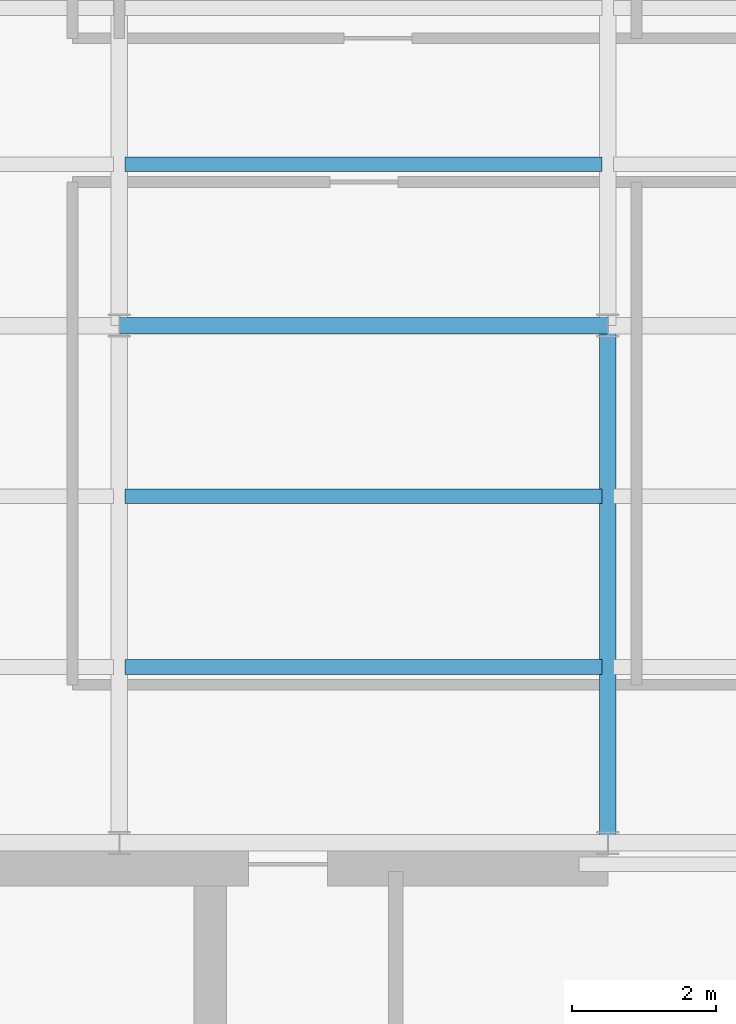
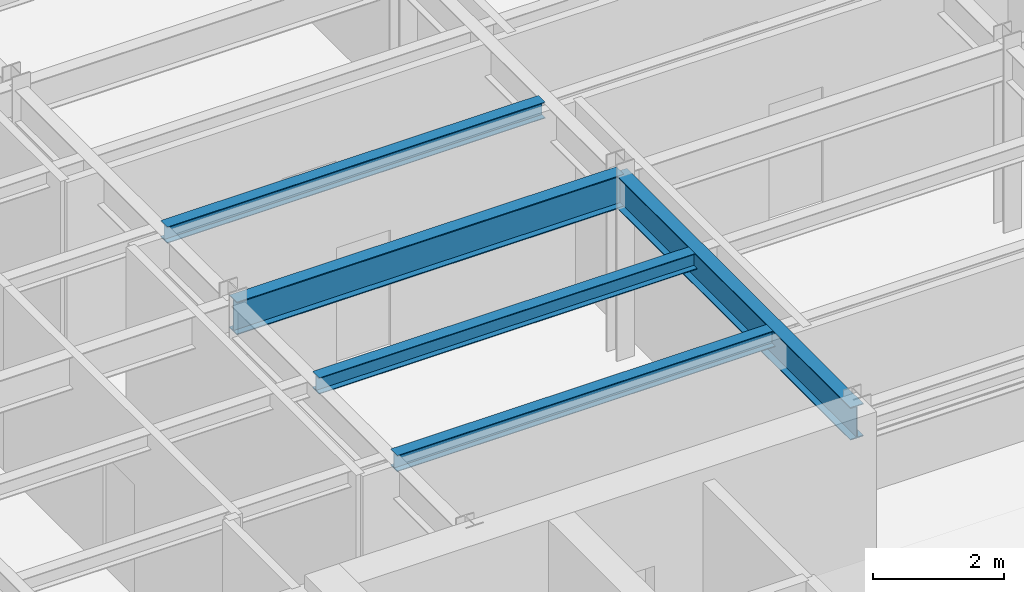
# One storey, part 6 of 22: 5 beams.
"""IFC4 building model written with IfcOpenShell, lengths in metres."""

from ifc_helpers import new_model, si_unit, derived_unit, direction, frame, origin, origin_2d, place, context, subcontext, project, spatial, i_section, extrude, source, transform, mapped, material, material_profile, profile_set, type_object, element, save


model = new_model("IFC4")

# Units and contexts
model_context = context("Model", 3, precision=1e-05, world=origin(), true_north=direction((0.0, 1.0)))
body_context = subcontext(model_context, "Body", "Model", "MODEL_VIEW")
ifc_project = project(units=[si_unit("LENGTHUNIT", "METRE"), si_unit("AREAUNIT", "SQUARE_METRE"), si_unit("VOLUMEUNIT", "CUBIC_METRE"), si_unit("PLANEANGLEUNIT", "RADIAN"), si_unit("MASSUNIT", "GRAM", prefix="KILO"), derived_unit("THERMALTRANSMITTANCEUNIT", [(si_unit("POWERUNIT", "WATT"), 1), (si_unit("LENGTHUNIT", "METRE"), -2), (si_unit("THERMODYNAMICTEMPERATUREUNIT", "KELVIN"), -1)])], contexts=[model_context])

# Site, building, storey
site_placement = place(None, origin())
site = spatial("IfcSite", under=ifc_project, at=site_placement, CompositionType="ELEMENT")
building_placement = place(site_placement, origin())
building = spatial("IfcBuilding", under=site, at=building_placement, Name="Skarnbrae Concourse Arena and Tower", CompositionType="ELEMENT")
storey_placement = place(building_placement, frame((0.0, 0.0, 273.39990234375)))
storey = spatial("IfcBuildingStorey", under=building, at=storey_placement, Name="L71", CompositionType="ELEMENT", Elevation=273.39990234375)

# Beams
ifc_material = material(Name="Steel CSA G40.21 350W", Category="steel")
ifc_material_profile_1 = material_profile(ifc_material, i_section(OverallWidth=0.22802734375, OverallDepth=0.60791015625, WebThickness=0.01123046875, FlangeThickness=0.017333984375, at=origin_2d()), Name="W610X113")
ifc_profile_set_1 = profile_set([ifc_material_profile_1], Name="Steel CSA G40.21 350W")
beam_type_1 = type_object("IfcBeamType", Name="BM-GIRD-W610X113", PredefinedType="BEAM", material=ifc_profile_set_1)
shared_shape_1 = source(origin(), body_context, "Body", "SweptSolid", [
    extrude(i_section(OverallWidth=0.22802734375, OverallDepth=0.60791015625, WebThickness=0.01123046875, FlangeThickness=0.017333984375, at=origin_2d()), origin(), (0.0, 0.0, 1.0), 6.7998046875),
])
beam_1_placement = place(storey_placement, frame((7.60009765625, 21.199951171875, 3.09619140625), z_axis=(1.0, 0.0, 0.0), x_axis=(0.0, 1.0, 0.0)))
element("IfcBeam", 1, at=beam_1_placement, inside=storey, type_object=beam_type_1, Name="L71 Primary E-W girder Y21.2-2", PredefinedType="BEAM", context=body_context, shape_type="MappedRepresentation", body=[
    mapped(shared_shape_1, transform((0.0, 0.0, 0.0))),
])
shared_shape_2 = source(origin(), body_context, "Body", "SweptSolid", [
    extrude(i_section(OverallWidth=0.22802734375, OverallDepth=0.60791015625, WebThickness=0.01123046875, FlangeThickness=0.017333984375, at=origin_2d()), origin(), (0.0, 0.0, 1.0), 7.199951171875),
])
beam_2_placement = place(storey_placement, frame((14.39990234375, 14.0, 3.09619140625), z_axis=(0.0, 1.0, 0.0), x_axis=(-1.0, 0.0, 0.0)))
element("IfcBeam", 2, at=beam_2_placement, inside=storey, type_object=beam_type_1, Name="L71 Primary N-S girder X14.4-1", PredefinedType="BEAM", context=body_context, shape_type="MappedRepresentation", body=[
    mapped(shared_shape_2, transform((0.0, 0.0, 0.0))),
])
ifc_material_profile_2 = material_profile(ifc_material, i_section(OverallWidth=0.202880859375, OverallDepth=0.302978515625, WebThickness=0.007568359375, FlangeThickness=0.01318359375, at=origin_2d()), Name="W310X60")
ifc_profile_set_2 = profile_set([ifc_material_profile_2], Name="Steel CSA G40.21 350W")
beam_type_2 = type_object("IfcBeamType", Name="BM-JOIST-W310X60", PredefinedType="JOIST", material=ifc_profile_set_2)
shared_shape_3 = source(origin(), body_context, "Body", "SweptSolid", [
    extrude(i_section(OverallWidth=0.202880859375, OverallDepth=0.302978515625, WebThickness=0.007568359375, FlangeThickness=0.01318359375, at=origin_2d()), origin(), (0.0, 0.0, 1.0), 6.64013671875),
])
for number, where, z_axis, x_axis, name in (
    (3, (7.679931640625, 16.447998046875, 3.24853515625), (1.0, 0.0, 0.0), (0.0, 1.0, 0.0), "L71 Secondary floor joist 1.1.2"),
    (4, (7.679931640625, 18.823974609375, 3.24853515625), (1.0, 0.0, 0.0), (0.0, 1.0, 0.0), "L71 Secondary floor joist 1.2.2"),
    (5, (7.679931640625, 23.444091796875, 3.24853515625), (1.0, 0.0, 0.0), (0.0, 1.0, 0.0), "L71 Secondary floor joist 2.1.2"),
):
    element("IfcBeam", number, at=place(storey_placement, frame(where, z_axis=z_axis, x_axis=x_axis)), inside=storey, type_object=beam_type_2, Name=name, PredefinedType="JOIST", context=body_context, shape_type="MappedRepresentation", body=[
        mapped(shared_shape_3, transform((0.0, 0.0, 0.0))),
    ])

save(model, "model.ifc")
